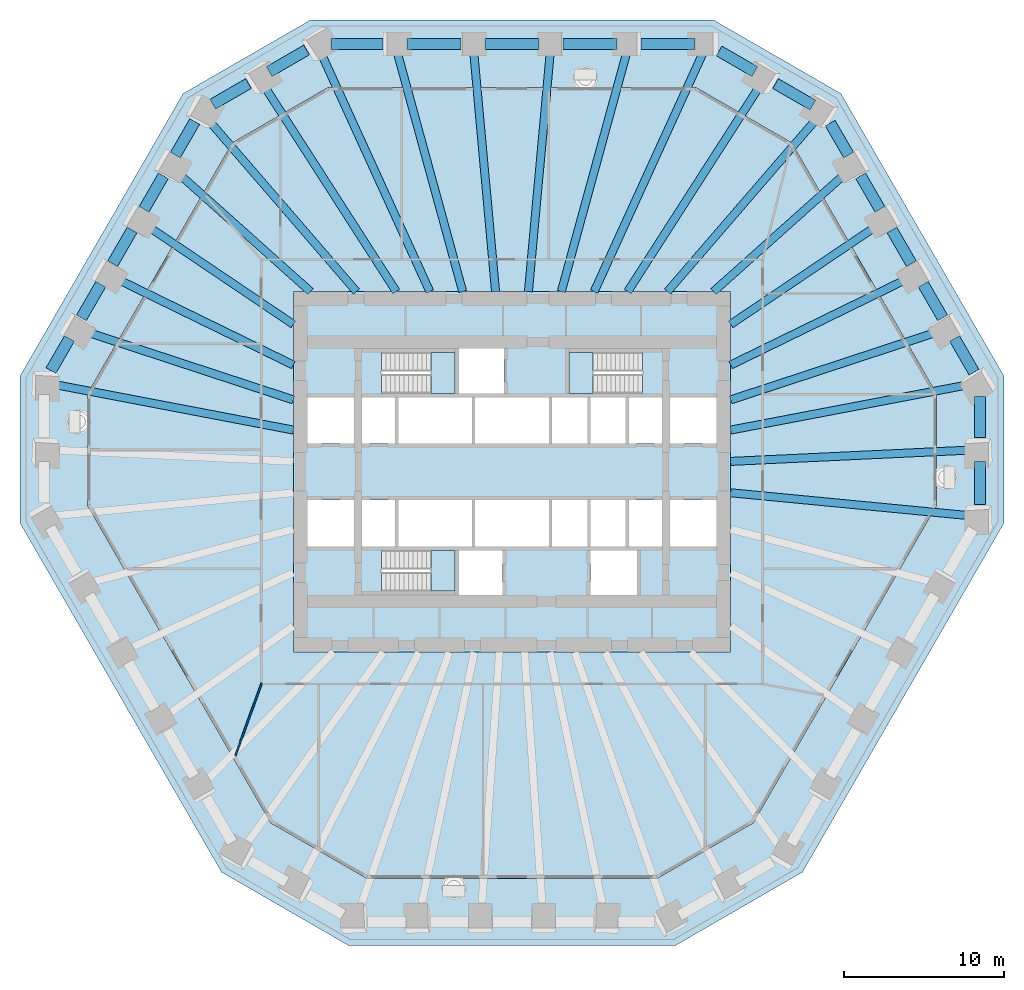
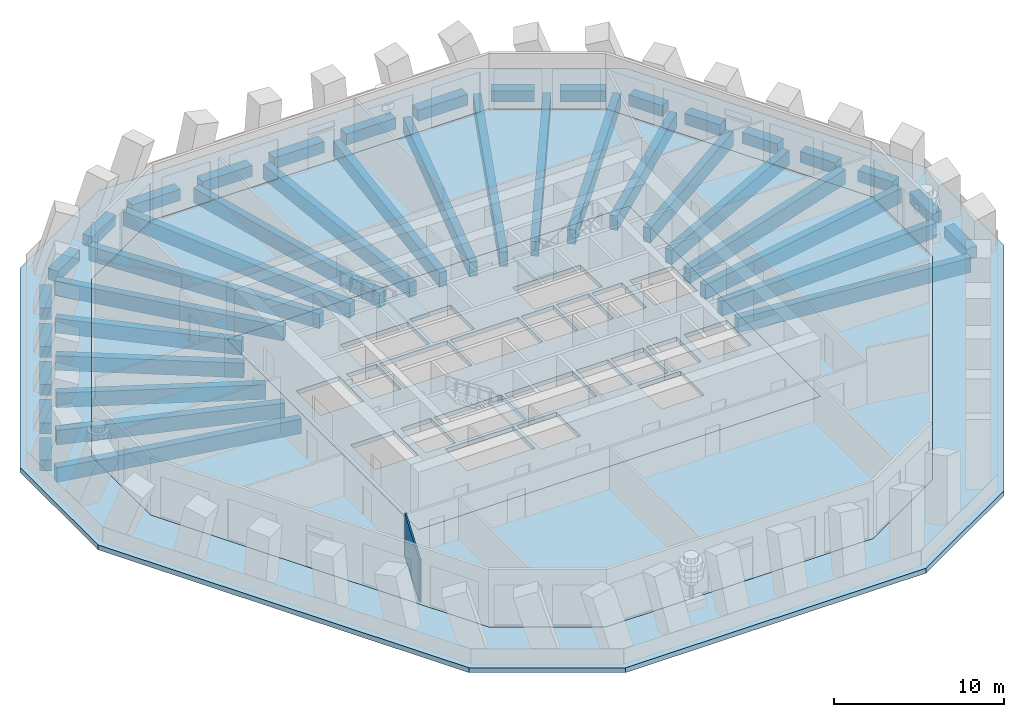
# One storey, part 2 of 11: 43 beams, 6 slabs, 1 wall, 3 elements without a shape of their own.
"""IFC4 building model written with IfcOpenShell, lengths in metres."""

from ifc_helpers import new_model, si_unit, direction, frame, frame_2d, origin, origin_2d, place, context, subcontext, project, spatial, polyline, rectangle, outline, extrude, material, layer, layer_set, material_profile, profile_set, type_object, element, aggregate, save


model = new_model("IFC4")

# Units and contexts
model_context = context("Model", 3, precision=1e-05, world=origin(), true_north=direction((0.0, 1.0)))
body_context = subcontext(model_context, "Body", "Model", "MODEL_VIEW")
ifc_project = project(units=[si_unit("LENGTHUNIT", "METRE"), si_unit("AREAUNIT", "SQUARE_METRE"), si_unit("VOLUMEUNIT", "CUBIC_METRE"), si_unit("PLANEANGLEUNIT", "RADIAN"), si_unit("MASSUNIT", "GRAM", prefix="KILO")], contexts=[model_context])

# Site, building, storey
site_placement = place(None, origin())
site = spatial("IfcSite", under=ifc_project, at=site_placement, CompositionType="ELEMENT")
building_placement = place(site_placement, origin())
building = spatial("IfcBuilding", under=site, at=building_placement, Name="Frailejon Research Tower", CompositionType="ELEMENT")
storey_placement = place(building_placement, frame((0.0, 0.0, 67.39990234375)))
storey = spatial("IfcBuildingStorey", under=building, at=storey_placement, Name="L15", CompositionType="ELEMENT", Elevation=67.39990234375)

# Beams
ifc_material_1 = material(Name="Concrete C60/75", Category="concrete")
ifc_material_profile_1 = material_profile(ifc_material_1, rectangle(XDim=0.5, YDim=1.050048828125, at=origin_2d()), Name="Girder 500x1050")
ifc_profile_set_1 = profile_set([ifc_material_profile_1], Name="Concrete C60/75")
beam_type_1 = type_object("IfcBeamType", Name="Girder 500x1050", PredefinedType="BEAM", material=ifc_profile_set_1)
beam_1_placement = place(storey_placement, frame((28.6103515625, -2.7470703125, -0.824951171875), z_axis=(-0.995421580291, 0.095581784302, 0.0), x_axis=(-0.095581784302, -0.995421580291, 0.0)))
element("IfcBeam", 1, at=beam_1_placement, inside=storey, type_object=beam_type_1, Name="Girder 500x1050", PredefinedType="BEAM", context=body_context, shape_type="SweptSolid", body=[
    extrude(rectangle(XDim=0.5, YDim=1.050048828125, at=origin_2d()), origin(), (0.0, 0.0, 1.0), 15.029296875),
])
beam_2_placement = place(storey_placement, frame((28.61083984375, 1.3544921875, -0.824951171875), z_axis=(-0.998881338401, -0.047287120801, 0.0), x_axis=(0.047287120801, -0.998881338401, 0.0)))
element("IfcBeam", 2, at=beam_2_placement, inside=storey, type_object=beam_type_1, Name="Girder 500x1050", PredefinedType="BEAM", context=body_context, shape_type="SweptSolid", body=[
    extrude(rectangle(XDim=0.5, YDim=1.050048828125, at=origin_2d()), origin(), (0.0, 0.0, 1.0), 14.977783203125),
])
beam_3_placement = place(storey_placement, frame((28.578369140625, 5.44970703125, -0.824951171875), z_axis=(-0.982297344318, -0.187328394395, 0.0), x_axis=(0.187328394395, -0.982297344318, 0.0)))
element("IfcBeam", 3, at=beam_3_placement, inside=storey, type_object=beam_type_1, Name="Girder 500x1050", PredefinedType="BEAM", context=body_context, shape_type="SweptSolid", body=[
    extrude(rectangle(XDim=0.5, YDim=1.050048828125, at=origin_2d()), origin(), (0.0, 0.0, 1.0), 15.197509765625),
])
beam_4_placement = place(storey_placement, frame((26.66943359375, 8.766357421875, -0.824951171875), z_axis=(-0.949995064088, -0.312264916712, 0.0), x_axis=(0.312264916712, -0.949995064088, 0.0)))
element("IfcBeam", 4, at=beam_4_placement, inside=storey, type_object=beam_type_1, Name="Girder 500x1050", PredefinedType="BEAM", context=body_context, shape_type="SweptSolid", body=[
    extrude(rectangle(XDim=0.5, YDim=1.050048828125, at=origin_2d()), origin(), (0.0, 0.0, 1.0), 13.704833984375),
])
beam_5_placement = place(storey_placement, frame((24.7578125, 12.083251953125, -0.824951171875), z_axis=(-0.898683953103, -0.43859679939, 0.0), x_axis=(0.43859679939, -0.898683953103, 0.0)))
element("IfcBeam", 5, at=beam_5_placement, inside=storey, type_object=beam_type_1, Name="Girder 500x1050", PredefinedType="BEAM", context=body_context, shape_type="SweptSolid", body=[
    extrude(rectangle(XDim=0.5, YDim=1.050048828125, at=origin_2d()), origin(), (0.0, 0.0, 1.0), 12.360107421875),
])
beam_6_placement = place(storey_placement, frame((22.84326171875, 15.399169921875, -0.824951171875), z_axis=(-0.82919365434, -0.558961433019, 0.0), x_axis=(0.558961433019, -0.82919365434, 0.0)))
element("IfcBeam", 6, at=beam_6_placement, inside=storey, type_object=beam_type_1, Name="Girder 500x1050", PredefinedType="BEAM", context=body_context, shape_type="SweptSolid", body=[
    extrude(rectangle(XDim=0.5, YDim=1.050048828125, at=origin_2d()), origin(), (0.0, 0.0, 1.0), 11.087158203125),
])
beam_7_placement = place(storey_placement, frame((20.926513671875, 18.713134765625, -0.824951171875), z_axis=(-0.745431765293, -0.666581940419, 0.0), x_axis=(0.666581940419, -0.745431765293, 0.0)))
element("IfcBeam", 7, at=beam_7_placement, inside=storey, type_object=beam_type_1, Name="Girder 500x1050", PredefinedType="BEAM", context=body_context, shape_type="SweptSolid", body=[
    extrude(rectangle(XDim=0.5, YDim=1.050048828125, at=origin_2d()), origin(), (0.0, 0.0, 1.0), 11.196044921875),
])
beam_8_placement = place(storey_placement, frame((19.02880859375, 22.0478515625, -0.824951171875), z_axis=(-0.653375625699, -0.757033877539, 0.0), x_axis=(0.757033877539, -0.653375625699, 0.0)))
element("IfcBeam", 8, at=beam_8_placement, inside=storey, type_object=beam_type_1, Name="Girder 500x1050", PredefinedType="BEAM", context=body_context, shape_type="SweptSolid", body=[
    extrude(rectangle(XDim=0.5, YDim=1.050048828125, at=origin_2d()), origin(), (0.0, 0.0, 1.0), 14.263427734375),
])
beam_9_placement = place(storey_placement, frame((15.478515625, 24.1005859375, -0.824951171875), z_axis=(-0.540402055677, -0.841406927842, 0.0), x_axis=(0.841406927842, -0.540402055677, 0.0)))
element("IfcBeam", 9, at=beam_9_placement, inside=storey, type_object=beam_type_1, Name="Girder 500x1050", PredefinedType="BEAM", context=body_context, shape_type="SweptSolid", body=[
    extrude(rectangle(XDim=0.5, YDim=1.050048828125, at=origin_2d()), origin(), (0.0, 0.0, 1.0), 15.272705078125),
])
beam_10_placement = place(storey_placement, frame((11.896728515625, 26.08642578125, -0.824951171875), z_axis=(-0.414935166757, -0.909850980869, 0.0), x_axis=(0.909850980869, -0.414935166757, 0.0)))
element("IfcBeam", 10, at=beam_10_placement, inside=storey, type_object=beam_type_1, Name="Girder 500x1050", PredefinedType="BEAM", context=body_context, shape_type="SweptSolid", body=[
    extrude(rectangle(XDim=0.5, YDim=1.050048828125, at=origin_2d()), origin(), (0.0, 0.0, 1.0), 16.306396484375),
])
beam_11_placement = place(storey_placement, frame((7.140380859375, 26.0947265625, -0.824951171875), z_axis=(-0.263930724671, -0.964541638591, 0.0), x_axis=(0.964541638591, -0.263930724671, 0.0)))
element("IfcBeam", 11, at=beam_11_placement, inside=storey, type_object=beam_type_1, Name="Girder 500x1050", PredefinedType="BEAM", context=body_context, shape_type="SweptSolid", body=[
    extrude(rectangle(XDim=0.5, YDim=1.050048828125, at=origin_2d()), origin(), (0.0, 0.0, 1.0), 15.390380859375),
])
for number, where, z_axis, x_axis, name in (
    (12, (2.380615234375, 26.099365234375, -0.824951171875), (-0.090838377195, -0.995865648182, 0.0), (0.995865648182, -0.090838377195, 0.0), "Girder 500x1050"),
    (13, (-2.380615234375, 26.099365234375, -0.824951171875), (0.090838377195, -0.995865648182, 0.0), (0.995865648182, 0.090838377195, 0.0), "Girder 500x1050"),
):
    element("IfcBeam", number, at=place(storey_placement, frame(where, z_axis=z_axis, x_axis=x_axis)), inside=storey, type_object=beam_type_1, Name=name, PredefinedType="BEAM", context=body_context, shape_type="SweptSolid", body=[
        extrude(rectangle(XDim=0.5, YDim=1.050048828125, at=origin_2d()), origin(), (0.0, 0.0, 1.0), 14.9111328125),
    ])
beam_12_placement = place(storey_placement, frame((-7.140380859375, 26.0947265625, -0.824951171875), z_axis=(0.263930724671, -0.964541638591, 0.0), x_axis=(0.964541638591, 0.263930724671, 0.0)))
element("IfcBeam", 14, at=beam_12_placement, inside=storey, type_object=beam_type_1, Name="Girder 500x1050", PredefinedType="BEAM", context=body_context, shape_type="SweptSolid", body=[
    extrude(rectangle(XDim=0.5, YDim=1.050048828125, at=origin_2d()), origin(), (0.0, 0.0, 1.0), 15.390380859375),
])
beam_13_placement = place(storey_placement, frame((-11.926025390625, 26.15087890625, -0.824951171875), z_axis=(0.414930273519, -0.909853212401, 0.0), x_axis=(0.909853212401, 0.414930273519, 0.0)))
element("IfcBeam", 15, at=beam_13_placement, inside=storey, type_object=beam_type_1, Name="Girder 500x1050", PredefinedType="BEAM", context=body_context, shape_type="SweptSolid", body=[
    extrude(rectangle(XDim=0.5, YDim=1.050048828125, at=origin_2d()), origin(), (0.0, 0.0, 1.0), 16.377197265625),
])
beam_14_placement = place(storey_placement, frame((-15.478515625, 24.1005859375, -0.824951171875), z_axis=(0.540402055677, -0.841406927842, 0.0), x_axis=(0.841406927842, 0.540402055677, 0.0)))
element("IfcBeam", 16, at=beam_14_placement, inside=storey, type_object=beam_type_1, Name="Girder 500x1050", PredefinedType="BEAM", context=body_context, shape_type="SweptSolid", body=[
    extrude(rectangle(XDim=0.5, YDim=1.050048828125, at=origin_2d()), origin(), (0.0, 0.0, 1.0), 15.272705078125),
])
beam_15_placement = place(storey_placement, frame((-19.0087890625, 22.024658203125, -0.824951171875), z_axis=(0.65337554657, -0.757033945833, 0.0), x_axis=(0.757033945833, 0.65337554657, 0.0)))
element("IfcBeam", 17, at=beam_15_placement, inside=storey, type_object=beam_type_1, Name="Girder 500x1050", PredefinedType="BEAM", context=body_context, shape_type="SweptSolid", body=[
    extrude(rectangle(XDim=0.5, YDim=1.050048828125, at=origin_2d()), origin(), (0.0, 0.0, 1.0), 14.232666015625),
])
beam_16_placement = place(storey_placement, frame((-20.926513671875, 18.713134765625, -0.824951171875), z_axis=(0.745431765293, -0.666581940419, 0.0), x_axis=(0.666581940419, 0.745431765293, 0.0)))
element("IfcBeam", 18, at=beam_16_placement, inside=storey, type_object=beam_type_1, Name="Girder 500x1050", PredefinedType="BEAM", context=body_context, shape_type="SweptSolid", body=[
    extrude(rectangle(XDim=0.5, YDim=1.050048828125, at=origin_2d()), origin(), (0.0, 0.0, 1.0), 11.196044921875),
])
beam_17_placement = place(storey_placement, frame((-22.84326171875, 15.399169921875, -0.824951171875), z_axis=(0.82919365434, -0.558961433019, 0.0), x_axis=(0.558961433019, 0.82919365434, 0.0)))
element("IfcBeam", 19, at=beam_17_placement, inside=storey, type_object=beam_type_1, Name="Girder 500x1050", PredefinedType="BEAM", context=body_context, shape_type="SweptSolid", body=[
    extrude(rectangle(XDim=0.5, YDim=1.050048828125, at=origin_2d()), origin(), (0.0, 0.0, 1.0), 11.087158203125),
])
beam_18_placement = place(storey_placement, frame((-24.7578125, 12.083251953125, -0.824951171875), z_axis=(0.898683953103, -0.43859679939, 0.0), x_axis=(0.43859679939, 0.898683953103, 0.0)))
element("IfcBeam", 20, at=beam_18_placement, inside=storey, type_object=beam_type_1, Name="Girder 500x1050", PredefinedType="BEAM", context=body_context, shape_type="SweptSolid", body=[
    extrude(rectangle(XDim=0.5, YDim=1.050048828125, at=origin_2d()), origin(), (0.0, 0.0, 1.0), 12.360107421875),
])
beam_19_placement = place(storey_placement, frame((-26.66943359375, 8.766357421875, -0.824951171875), z_axis=(0.949995064088, -0.312264916712, 0.0), x_axis=(0.312264916712, 0.949995064088, 0.0)))
element("IfcBeam", 21, at=beam_19_placement, inside=storey, type_object=beam_type_1, Name="Girder 500x1050", PredefinedType="BEAM", context=body_context, shape_type="SweptSolid", body=[
    extrude(rectangle(XDim=0.5, YDim=1.050048828125, at=origin_2d()), origin(), (0.0, 0.0, 1.0), 13.704833984375),
])
beam_20_placement = place(storey_placement, frame((-28.6083984375, 5.455322265625, -0.824951171875), z_axis=(0.982298691435, -0.187321330353, 0.0), x_axis=(0.187321330353, 0.982298691435, 0.0)))
element("IfcBeam", 22, at=beam_20_placement, inside=storey, type_object=beam_type_1, Name="Girder 500x1050", PredefinedType="BEAM", context=body_context, shape_type="SweptSolid", body=[
    extrude(rectangle(XDim=0.5, YDim=1.050048828125, at=origin_2d()), origin(), (0.0, 0.0, 1.0), 15.22802734375),
])
ifc_material_2 = material(Name="Concrete C60/75", Category="concrete")
ifc_material_profile_2 = material_profile(ifc_material_2, rectangle(XDim=0.699951171875, YDim=0.800048828125, at=origin_2d()), Name="Spandrel 700x800")
ifc_profile_set_2 = profile_set([ifc_material_profile_2], Name="Concrete C60/75")
beam_type_2 = type_object("IfcBeamType", Name="Spandrel 700x800", PredefinedType="BEAM", material=ifc_profile_set_2)
beam_21_placement = place(storey_placement, frame((29.211181640625, -2.0546875, -0.75), z_axis=(0.0, 1.0, 0.0), x_axis=(-1.0, 0.0, 0.0)))
element("IfcBeam", 23, at=beam_21_placement, inside=storey, type_object=beam_type_2, Name="Spandrel 700x800", PredefinedType="BEAM", context=body_context, shape_type="SweptSolid", body=[
    extrude(rectangle(XDim=0.699951171875, YDim=0.800048828125, at=origin_2d()), origin(), (0.0, 0.0, 1.0), 2.6875),
])
beam_22_placement = place(storey_placement, frame((29.211181640625, 2.1328125, -0.75), z_axis=(0.0, 1.0, 0.0), x_axis=(-1.0, 0.0, 0.0)))
element("IfcBeam", 24, at=beam_22_placement, inside=storey, type_object=beam_type_2, Name="Spandrel 700x800", PredefinedType="BEAM", context=body_context, shape_type="SweptSolid", body=[
    extrude(rectangle(XDim=0.699951171875, YDim=0.800048828125, at=origin_2d()), origin(), (0.0, 0.0, 1.0), 2.571533203125),
])
beam_23_placement = place(storey_placement, frame((28.836181640625, 6.2197265625, -0.75), z_axis=(-0.500002762329, 0.866023808947, 0.0), x_axis=(-0.866023808947, -0.500002762329, 0.0)))
element("IfcBeam", 25, at=beam_23_placement, inside=storey, type_object=beam_type_2, Name="Spandrel 700x800", PredefinedType="BEAM", context=body_context, shape_type="SweptSolid", body=[
    extrude(rectangle(XDim=0.699951171875, YDim=0.800048828125, at=origin_2d()), origin(), (0.0, 0.0, 1.0), 2.41259765625),
])
for number, where, z_axis, x_axis, name in (
    (26, (26.8798828125, 9.608154296875, -0.75), (-0.499958946799, 0.866049104564, 0.0), (-0.866049104564, -0.499958946799, 0.0), "Spandrel 700x800"),
    (27, (24.923583984375, 12.99658203125, -0.75), (-0.499958946799, 0.866049104564, 0.0), (-0.866049104564, -0.499958946799, 0.0), "Spandrel 700x800"),
    (28, (22.96728515625, 16.385009765625, -0.75), (-0.499958946799, 0.866049104564, 0.0), (-0.866049104564, -0.499958946799, 0.0), "Spandrel 700x800"),
):
    element("IfcBeam", number, at=place(storey_placement, frame(where, z_axis=z_axis, x_axis=x_axis)), inside=storey, type_object=beam_type_2, Name=name, PredefinedType="BEAM", context=body_context, shape_type="SweptSolid", body=[
        extrude(rectangle(XDim=0.699951171875, YDim=0.800048828125, at=origin_2d()), origin(), (0.0, 0.0, 1.0), 2.412841796875),
    ])
beam_24_placement = place(storey_placement, frame((21.010986328125, 19.7734375, -0.75), z_axis=(-0.500026097828, 0.866010335672, 0.0), x_axis=(-0.866010335672, -0.500026097828, 0.0)))
element("IfcBeam", 29, at=beam_24_placement, inside=storey, type_object=beam_type_2, Name="Spandrel 700x800", PredefinedType="BEAM", context=body_context, shape_type="SweptSolid", body=[
    extrude(rectangle(XDim=0.699951171875, YDim=0.800048828125, at=origin_2d()), origin(), (0.0, 0.0, 1.0), 2.296875),
])
beam_25_placement = place(storey_placement, frame((18.780029296875, 22.887451171875, -0.75), z_axis=(-0.866020687897, 0.500008168067, 0.0), x_axis=(-0.500008168067, -0.866020687897, 0.0)))
element("IfcBeam", 30, at=beam_25_placement, inside=storey, type_object=beam_type_2, Name="Spandrel 700x800", PredefinedType="BEAM", context=body_context, shape_type="SweptSolid", body=[
    extrude(rectangle(XDim=0.699951171875, YDim=0.800048828125, at=origin_2d()), origin(), (0.0, 0.0, 1.0), 2.6875),
])
beam_26_placement = place(storey_placement, frame((15.153564453125, 24.981201171875, -0.75), z_axis=(-0.866008514048, 0.50002925274, 0.0), x_axis=(-0.50002925274, -0.866008514048, 0.0)))
element("IfcBeam", 31, at=beam_26_placement, inside=storey, type_object=beam_type_2, Name="Spandrel 700x800", PredefinedType="BEAM", context=body_context, shape_type="SweptSolid", body=[
    extrude(rectangle(XDim=0.699951171875, YDim=0.800048828125, at=origin_2d()), origin(), (0.0, 0.0, 1.0), 2.571533203125),
])
for number, where, z_axis, x_axis, name in (
    (32, (11.426513671875, 26.699951171875, -0.75), (-1.0, 0.0, 0.0), (0.0, -1.0, 0.0), "Spandrel 700x800"),
    (33, (6.555908203125, 26.699951171875, -0.75), (-1.0, 0.0, 0.0), (0.0, -1.0, 0.0), "Spandrel 700x800"),
    (34, (1.685302734375, 26.699951171875, -0.75), (-1.0, 0.0, 0.0), (0.0, -1.0, 0.0), "Spandrel 700x800"),
    (35, (-3.185302734375, 26.699951171875, -0.75), (-1.0, 0.0, 0.0), (0.0, -1.0, 0.0), "Spandrel 700x800"),
):
    element("IfcBeam", number, at=place(storey_placement, frame(where, z_axis=z_axis, x_axis=x_axis)), inside=storey, type_object=beam_type_2, Name=name, PredefinedType="BEAM", context=body_context, shape_type="SweptSolid", body=[
        extrude(rectangle(XDim=0.699951171875, YDim=0.800048828125, at=origin_2d()), origin(), (0.0, 0.0, 1.0), 3.37060546875),
    ])
beam_27_placement = place(storey_placement, frame((-8.055908203125, 26.699951171875, -0.75), z_axis=(-1.0, 0.0, 0.0), x_axis=(0.0, -1.0, 0.0)))
element("IfcBeam", 36, at=beam_27_placement, inside=storey, type_object=beam_type_2, Name="Spandrel 700x800", PredefinedType="BEAM", context=body_context, shape_type="SweptSolid", body=[
    extrude(rectangle(XDim=0.699951171875, YDim=0.800048828125, at=origin_2d()), origin(), (0.0, 0.0, 1.0), 3.254638671875),
])
beam_28_placement = place(storey_placement, frame((-12.825927734375, 26.324951171875, -0.75), z_axis=(-0.866043397086, -0.499968833392, 0.0), x_axis=(0.499968833392, -0.866043397086, 0.0)))
element("IfcBeam", 37, at=beam_28_placement, inside=storey, type_object=beam_type_2, Name="Spandrel 700x800", PredefinedType="BEAM", context=body_context, shape_type="SweptSolid", body=[
    extrude(rectangle(XDim=0.699951171875, YDim=0.800048828125, at=origin_2d()), origin(), (0.0, 0.0, 1.0), 2.687744140625),
])
beam_29_placement = place(storey_placement, frame((-16.45263671875, 24.231201171875, -0.75), z_axis=(-0.866008514048, -0.50002925274, 0.0), x_axis=(0.50002925274, -0.866008514048, 0.0)))
element("IfcBeam", 38, at=beam_29_placement, inside=storey, type_object=beam_type_2, Name="Spandrel 700x800", PredefinedType="BEAM", context=body_context, shape_type="SweptSolid", body=[
    extrude(rectangle(XDim=0.699951171875, YDim=0.800048828125, at=origin_2d()), origin(), (0.0, 0.0, 1.0), 2.571533203125),
])
beam_30_placement = place(storey_placement, frame((-19.8046875, 21.86279296875, -0.75), z_axis=(-0.500002762329, -0.866023808947, 0.0), x_axis=(0.866023808947, -0.500002762329, 0.0)))
element("IfcBeam", 39, at=beam_30_placement, inside=storey, type_object=beam_type_2, Name="Spandrel 700x800", PredefinedType="BEAM", context=body_context, shape_type="SweptSolid", body=[
    extrude(rectangle(XDim=0.699951171875, YDim=0.800048828125, at=origin_2d()), origin(), (0.0, 0.0, 1.0), 2.41259765625),
])
for number, where, z_axis, x_axis, name in (
    (40, (-21.760986328125, 18.474609375, -0.75), (-0.499958946799, -0.866049104564, 0.0), (0.866049104564, -0.499958946799, 0.0), "Spandrel 700x800"),
    (41, (-23.71728515625, 15.086181640625, -0.75), (-0.499958946799, -0.866049104564, 0.0), (0.866049104564, -0.499958946799, 0.0), "Spandrel 700x800"),
    (42, (-25.673583984375, 11.69775390625, -0.75), (-0.499958946799, -0.866049104564, 0.0), (0.866049104564, -0.499958946799, 0.0), "Spandrel 700x800"),
):
    element("IfcBeam", number, at=place(storey_placement, frame(where, z_axis=z_axis, x_axis=x_axis)), inside=storey, type_object=beam_type_2, Name=name, PredefinedType="BEAM", context=body_context, shape_type="SweptSolid", body=[
        extrude(rectangle(XDim=0.699951171875, YDim=0.800048828125, at=origin_2d()), origin(), (0.0, 0.0, 1.0), 2.412841796875),
    ])
beam_31_placement = place(storey_placement, frame((-27.6298828125, 8.30908203125, -0.75), z_axis=(-0.499992401796, -0.866029790565, 0.0), x_axis=(0.866029790565, -0.499992401796, 0.0)))
element("IfcBeam", 43, at=beam_31_placement, inside=storey, type_object=beam_type_2, Name="Spandrel 700x800", PredefinedType="BEAM", context=body_context, shape_type="SweptSolid", body=[
    extrude(rectangle(XDim=0.699951171875, YDim=0.800048828125, at=origin_2d()), origin(), (0.0, 0.0, 1.0), 2.29638671875),
])

# Slabs
ifc_material_3 = material(Name="Concrete C70/85", Category="concrete")
ifc_layer_1 = layer(ifc_material_3, 0.300048828125)
ifc_layer_set_1 = layer_set([ifc_layer_1], Name="Core floor slab 300 C70/85")
slab_type_1 = type_object("IfcSlabType", Name="Core floor slab 300 C70/85", PredefinedType="FLOOR", material=ifc_layer_set_1)
slab_1_placement = place(storey_placement, frame((0.0, 0.0, -0.2998046875)))
element("IfcSlab", 44, at=slab_1_placement, inside=storey, type_object=slab_type_1, Name="Core floor slab", PredefinedType="FLOOR", context=body_context, shape_type="SweptSolid", body=[
    extrude(outline(polyline([(13.64990234375, -11.25), (13.64990234375, 11.25), (-13.64990234375, 11.25), (-13.64990234375, -11.25), (13.64990234375, -11.25)]), holes=[polyline([(-9.85009765625, 1.75), (-9.85009765625, 4.64990234375), (-12.75, 4.64990234375), (-12.75, 1.75), (-9.85009765625, 1.75)]), polyline([(-7.300048828125, 1.75), (-7.300048828125, 4.64990234375), (-9.35009765625, 4.64990234375), (-9.35009765625, 1.75), (-7.300048828125, 1.75)]), polyline([(-2.5, 1.75), (-2.5, 4.64990234375), (-7.10009765625, 4.64990234375), (-7.10009765625, 1.75), (-2.5, 1.75)]), polyline([(2.300048828125, 1.75), (2.300048828125, 4.64990234375), (-2.300048828125, 4.64990234375), (-2.300048828125, 1.75), (2.300048828125, 1.75)]), polyline([(4.699951171875, 1.75), (4.699951171875, 4.64990234375), (2.5, 4.64990234375), (2.5, 1.75), (4.699951171875, 1.75)]), polyline([(7.10009765625, 1.75), (7.10009765625, 4.64990234375), (4.89990234375, 4.64990234375), (4.89990234375, 1.75), (7.10009765625, 1.75)]), polyline([(9.35009765625, 1.75), (9.35009765625, 4.64990234375), (7.300048828125, 4.64990234375), (7.300048828125, 1.75), (9.35009765625, 1.75)]), polyline([(12.75, 1.75), (12.75, 4.64990234375), (9.85009765625, 4.64990234375), (9.85009765625, 1.75), (12.75, 1.75)]), polyline([(-9.85009765625, -4.64990234375), (-9.85009765625, -1.75), (-12.75, -1.75), (-12.75, -4.64990234375), (-9.85009765625, -4.64990234375)]), polyline([(-7.300048828125, -4.64990234375), (-7.300048828125, -1.75), (-9.35009765625, -1.75), (-9.35009765625, -4.64990234375), (-7.300048828125, -4.64990234375)]), polyline([(-2.5, -4.64990234375), (-2.5, -1.75), (-7.10009765625, -1.75), (-7.10009765625, -4.64990234375), (-2.5, -4.64990234375)]), polyline([(2.300048828125, -4.64990234375), (2.300048828125, -1.75), (-2.300048828125, -1.75), (-2.300048828125, -4.64990234375), (2.300048828125, -4.64990234375)]), polyline([(4.699951171875, -4.64990234375), (4.699951171875, -1.75), (2.5, -1.75), (2.5, -4.64990234375), (4.699951171875, -4.64990234375)]), polyline([(7.10009765625, -4.64990234375), (7.10009765625, -1.75), (4.89990234375, -1.75), (4.89990234375, -4.64990234375), (7.10009765625, -4.64990234375)]), polyline([(9.35009765625, -4.64990234375), (9.35009765625, -1.75), (7.300048828125, -1.75), (7.300048828125, -4.64990234375), (9.35009765625, -4.64990234375)]), polyline([(12.75, -4.64990234375), (12.75, -1.75), (9.85009765625, -1.75), (9.85009765625, -4.64990234375), (12.75, -4.64990234375)]), polyline([(-8.14697265625, 4.89990234375), (-3.550048828125, 4.89990234375), (-3.550048828125, 7.449951171875), (-8.14697265625, 7.449951171875), (-8.14697265625, 4.89990234375)]), polyline([(-8.14697265625, -7.449951171875), (-3.550048828125, -7.449951171875), (-3.550048828125, -4.89990234375), (-8.14697265625, -4.89990234375), (-8.14697265625, -7.449951171875)]), polyline([(8.14697265625, 7.449951171875), (3.550048828125, 7.449951171875), (3.550048828125, 4.89990234375), (8.14697265625, 4.89990234375), (8.14697265625, 7.449951171875)]), polyline([(-0.60009765625, -7.699951171875), (-0.60009765625, -4.89990234375), (-3.300048828125, -4.89990234375), (-3.300048828125, -7.699951171875), (-0.60009765625, -7.699951171875)]), polyline([(7.800048828125, -7.699951171875), (7.800048828125, -4.89990234375), (4.89990234375, -4.89990234375), (4.89990234375, -7.699951171875), (7.800048828125, -7.699951171875)]), polyline([(-0.5, 4.89990234375), (-0.5, 7.699951171875), (-3.300048828125, 7.699951171875), (-3.300048828125, 4.89990234375), (-0.5, 4.89990234375)])]), origin(), (0.0, 0.0, 1.0), 0.2998046875),
])
ifc_material_4 = material(Name="Concrete C40/50", Category="concrete")
ifc_layer_2 = layer(ifc_material_4, 0.35009765625)
ifc_layer_set_2 = layer_set([ifc_layer_2], Name="Loggia slab 350")
slab_type_2 = type_object("IfcSlabType", Name="Loggia slab 350", PredefinedType="USERDEFINED", material=ifc_layer_set_2)
slab_2_placement = place(storey_placement, frame((0.0, 0.0, -0.349853515625)))
element("IfcSlab", 45, at=slab_2_placement, inside=storey, type_object=slab_type_2, Name="Loggia slab L15", ObjectType="LOGGIA", PredefinedType="USERDEFINED", context=body_context, shape_type="SweptSolid", body=[
    extrude(outline(polyline([(18.1328125, -24.993408203125), (10.18359375, -29.582763671875), (-10.18359375, -29.582763671875), (-18.1328125, -24.993408203125), (-30.711181640625, -3.206787109375), (-30.711181640625, 5.97216796875), (-20.527587890625, 23.610595703125), (-12.57861328125, 28.199951171875), (12.57861328125, 28.199951171875), (20.527587890625, 23.610595703125), (30.711181640625, 5.97216796875), (30.711181640625, -3.206787109375), (18.1328125, -24.993408203125)]), holes=[polyline([(26.510986328125, 4.846923828125), (17.453125, 20.535888671875), (11.453125, 24.0), (-11.453125, 24.0), (-17.453125, 20.535888671875), (-26.510986328125, 4.846923828125), (-26.510986328125, -2.081298828125), (-15.05810546875, -21.918701171875), (-9.05810546875, -25.3828125), (9.05810546875, -25.3828125), (15.05810546875, -21.918701171875), (26.510986328125, -2.081298828125), (26.510986328125, 4.846923828125)])]), origin(), (0.0, 0.0, 1.0), 0.349853515625),
])
ifc_material_5 = material(Name="Concrete C40/50", Category="concrete")
ifc_layer_3 = layer(ifc_material_5, 0.300048828125)
ifc_layer_set_3 = layer_set([ifc_layer_3], Name="Slab typical 300")
slab_type_3 = type_object("IfcSlabType", Name="Slab typical 300", PredefinedType="FLOOR", material=ifc_layer_set_3)
slab_3_placement = place(storey_placement, frame((0.0, 0.0, -0.2998046875)))
element("IfcSlab", 46, at=slab_3_placement, inside=storey, type_object=slab_type_3, Name="Floor slab L15", PredefinedType="FLOOR", context=body_context, shape_type="SweptSolid", body=[
    extrude(outline(polyline([(26.510986328125, -2.081298828125), (26.510986328125, 4.846923828125), (17.453125, 20.535888671875), (11.453125, 24.0), (-11.453125, 24.0), (-17.453125, 20.535888671875), (-26.510986328125, 4.846923828125), (-26.510986328125, -2.081298828125), (-15.05810546875, -21.918701171875), (-9.05810546875, -25.3828125), (9.05810546875, -25.3828125), (15.05810546875, -21.918701171875), (26.510986328125, -2.081298828125)]), holes=[polyline([(13.64990234375, -11.25), (-13.64990234375, -11.25), (-13.64990234375, 11.25), (13.64990234375, 11.25), (13.64990234375, -11.25)])]), origin(), (0.0, 0.0, 1.0), 0.2998046875),
])

# Stair, slab
ifc_material_6 = material(Name="Concrete C50/60", Category="concrete")
stair_type = type_object("IfcStairType", Name="Exit stair 24 risers", PredefinedType="HALF_TURN_STAIR", material=ifc_material_6)
stair_1_placement = place(storey_placement, origin())
stair_1 = element("IfcStair", 47, at=stair_1_placement, inside=storey, type_object=stair_type, Name="L15 Exit stair ST1", PredefinedType="HALF_TURN_STAIR")
ifc_material_7 = material(Name="Concrete C50/60", Category="concrete")
ifc_layer_4 = layer(ifc_material_7, 0.199951171875)
ifc_layer_set_4 = layer_set([ifc_layer_4], Name="Stair landing slab 200")
slab_type_4 = type_object("IfcSlabType", Name="Stair landing slab 200", PredefinedType="LANDING", material=ifc_layer_set_4)
slab_4_placement = place(storey_placement, frame((0.0, 0.0, 2.0)))
slab_4 = element("IfcSlab", 48, at=slab_4_placement, type_object=slab_type_4, Name="ST1 landing 1", PredefinedType="LANDING", context=body_context, shape_type="SweptSolid", body=[
    extrude(outline(polyline([(-5.070068359375, 4.89990234375), (-3.550048828125, 4.89990234375), (-3.550048828125, 7.449951171875), (-5.070068359375, 7.449951171875), (-5.070068359375, 4.89990234375)])), origin(), (0.0, 0.0, 1.0), 0.2001953125),
])
aggregate(stair_1, [slab_4])

stair_2_placement = place(storey_placement, origin())
stair_2 = element("IfcStair", 49, at=stair_2_placement, inside=storey, type_object=stair_type, Name="L15 Exit stair ST2", PredefinedType="HALF_TURN_STAIR")
slab_5_placement = place(storey_placement, frame((0.0, 0.0, 2.0)))
slab_5 = element("IfcSlab", 50, at=slab_5_placement, type_object=slab_type_4, Name="ST2 landing 1", PredefinedType="LANDING", context=body_context, shape_type="SweptSolid", body=[
    extrude(outline(polyline([(-5.070068359375, -7.449951171875), (-3.550048828125, -7.449951171875), (-3.550048828125, -4.89990234375), (-5.070068359375, -4.89990234375), (-5.070068359375, -7.449951171875)])), origin(), (0.0, 0.0, 1.0), 0.2001953125),
])
aggregate(stair_2, [slab_5])

stair_3_placement = place(storey_placement, origin())
stair_3 = element("IfcStair", 51, at=stair_3_placement, inside=storey, type_object=stair_type, Name="L15 Exit stair ST3", PredefinedType="HALF_TURN_STAIR")
slab_6_placement = place(storey_placement, frame((0.0, 0.0, 2.0)))
slab_6 = element("IfcSlab", 52, at=slab_6_placement, type_object=slab_type_4, Name="ST3 landing 1", PredefinedType="LANDING", context=body_context, shape_type="SweptSolid", body=[
    extrude(outline(polyline([(5.070068359375, 7.449951171875), (3.550048828125, 7.449951171875), (3.550048828125, 4.89990234375), (5.070068359375, 4.89990234375), (5.070068359375, 7.449951171875)])), origin(), (0.0, 0.0, 1.0), 0.2001953125),
])
aggregate(stair_3, [slab_6])

# Wall
ifc_material_8 = material(Name="Gypsum board and masonry partition", Category="masonry")
ifc_layer_5 = layer(ifc_material_8, 0.10009765625)
ifc_layer_set_5 = layer_set([ifc_layer_5], Name="Partition, gypsum on steel studs 100")
wall_type = type_object("IfcWallType", Name="Partition, gypsum on steel studs 100", PredefinedType="PARTITIONING", material=ifc_layer_set_5)
wall_placement = place(storey_placement, frame((-17.259765625, -17.705078125, 0.0), z_axis=(0.0, 0.0, 1.0), x_axis=(0.339827729229, 0.940487700317, 0.0)))
element("IfcWall", 53, at=wall_placement, inside=storey, type_object=wall_type, Name="T:IW:L15:020", PredefinedType="PARTITIONING", context=body_context, shape_type="SweptSolid", body=[
    extrude(rectangle(XDim=4.81201171875, YDim=0.10009765625, at=frame_2d((2.406005859375, 0.0))), origin(), (0.0, 0.0, 1.0), 3.050048828125),
])

save(model, "model.ifc")
